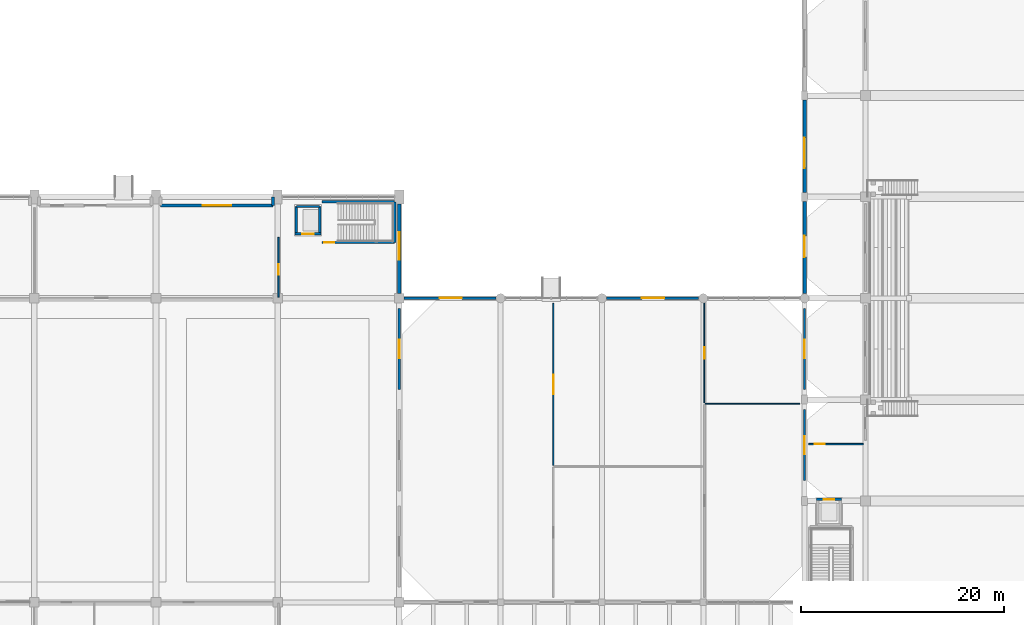
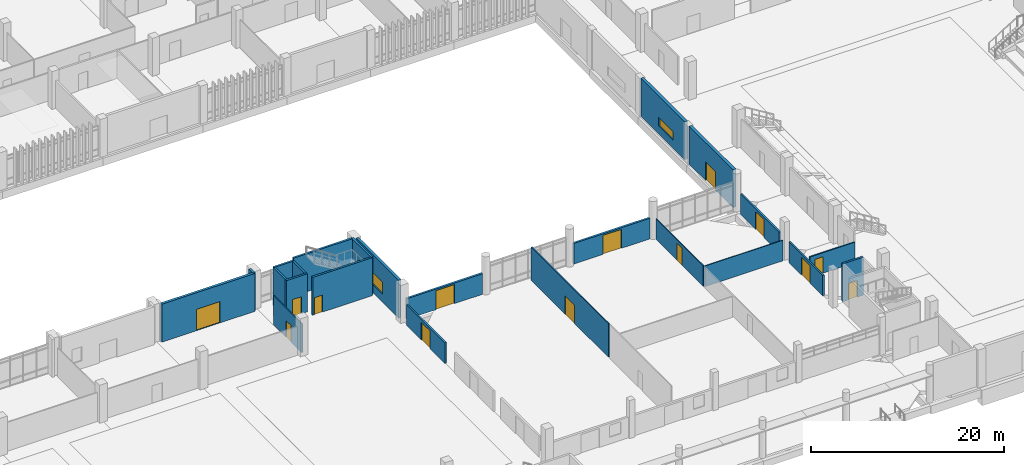
# One storey, part 72 of 87: 23 walls, 14 doors, 2 windows, 16 openings.
"""IFC4 building model written with IfcOpenShell, lengths in metres."""

from ifc_helpers import new_model, si_unit, direction, frame, frame_2d, origin, place, context, subcontext, project, spatial, rectangle, extrude, material, layer, layer_set, type_object, element, fill, save


model = new_model("IFC4")

# Units and contexts
model_context = context("Model", 3, precision=1e-05, world=origin(), true_north=direction((0.0, 1.0)))
body_context = subcontext(model_context, "Body", "Model", "MODEL_VIEW")
ifc_project = project(units=[si_unit("LENGTHUNIT", "METRE"), si_unit("AREAUNIT", "SQUARE_METRE"), si_unit("VOLUMEUNIT", "CUBIC_METRE"), si_unit("PLANEANGLEUNIT", "RADIAN"), si_unit("MASSUNIT", "GRAM", prefix="KILO")], contexts=[model_context])

# Site, building, storey
site_placement = place(None, origin())
site = spatial("IfcSite", under=ifc_project, at=site_placement, CompositionType="ELEMENT")
building_placement = place(site_placement, origin())
building = spatial("IfcBuilding", under=site, at=building_placement, Name="Mersad Railyard Sports Hall", CompositionType="ELEMENT")
storey_placement = place(building_placement, origin())
storey = spatial("IfcBuildingStorey", under=building, at=storey_placement, Name="L00", CompositionType="ELEMENT", Elevation=0.0)

# Wall
ifc_material_1 = material(Name="Architectural concrete C40/50", Category="concrete")
ifc_layer_1 = layer(ifc_material_1, 0.300048828125)
ifc_layer_set_1 = layer_set([ifc_layer_1], Name="Architectural concrete C40/50")
wall_type_1 = type_object("IfcWallType", Name="ARC-WL-EW01", PredefinedType="SOLIDWALL", material=ifc_layer_set_1)
wall_1_placement = place(storey_placement, frame((78.550048828125, 53.5, 0.0), z_axis=(0.0, 0.0, 1.0), x_axis=(0.0, -1.0, 0.0)))
element("IfcWall", 1, at=wall_1_placement, inside=storey, type_object=wall_type_1, Name="External wall EW01-0046", PredefinedType="SOLIDWALL", context=body_context, shape_type="SweptSolid", body=[
    extrude(rectangle(XDim=0.85009765625, YDim=0.300048828125, at=frame_2d((0.425048828125, 0.0))), origin(), (0.0, 0.0, 1.0), 4.800048828125),
])

# Wall, opening, door
wall_2_placement = place(storey_placement, frame((67.449951171875, 52.64990234375, 0.0), z_axis=(0.0, 0.0, 1.0), x_axis=(1.0, 0.0, 0.0)))
wall_2 = element("IfcWall", 2, at=wall_2_placement, inside=storey, type_object=wall_type_1, Name="External wall EW01-0052", PredefinedType="SOLIDWALL", context=body_context, shape_type="SweptSolid", body=[
    extrude(rectangle(XDim=11.10009765625, YDim=0.300048828125, at=frame_2d((5.550048828125, 0.0))), origin(), (0.0, 0.0, 1.0), 4.800048828125),
])
opening_1_placement = place(wall_2_placement, frame((4.14990234375, 0.0, 0.0)))
opening_1 = element("IfcOpeningElement", 3, at=opening_1_placement, cuts=wall_2, Name="Opening GT01", PredefinedType="OPENING", context=body_context, shape_type="SweptSolid", body=[
    extrude(rectangle(XDim=2.800048828125, YDim=2.699951171875, at=frame_2d((1.39990234375, 1.35009765625))), frame((0.0, 0.159912109375, 0.0), z_axis=(0.0, -1.0, 0.0), x_axis=(1.0, 0.0, 0.0)), (0.0, 0.0, 1.0), 0.320068359375),
])
ifc_material_2 = material(Name="Steel S355", Category="steel")
door_type_1 = type_object("IfcDoorType", Name="ARC-DR-GT01", OperationType="NOTDEFINED", PredefinedType="GATE", material=ifc_material_2)
door_1_placement = place(opening_1_placement, origin())
door_1 = element("IfcDoor", 4, at=door_1_placement, inside=storey, type_object=door_type_1, Name="Equipment delivery gate GT01-006", OperationType="DOUBLE_DOOR_SINGLE_SWING", OverallHeight=2.699951171875, OverallWidth=2.800048828125, PredefinedType="GATE", context=body_context, shape_type="SweptSolid", body=[
    extrude(rectangle(XDim=2.800048828125, YDim=2.699951171875, at=frame_2d((1.39990234375, 1.35009765625))), frame((0.0, 0.02490234375, 0.0), z_axis=(0.0, -1.0, 0.0), x_axis=(1.0, 0.0, 0.0)), (0.0, 0.0, 1.0), 0.050048828125),
])
fill(opening_1, door_1)

# Wall, opening, window
wall_3_placement = place(storey_placement, frame((91.0, 52.800048828125, 0.0), z_axis=(0.0, 0.0, 1.0), x_axis=(0.0, -1.0, 0.0)))
wall_3 = element("IfcWall", 5, at=wall_3_placement, inside=storey, type_object=wall_type_1, Name="External wall EW01-0056", PredefinedType="SOLIDWALL", context=body_context, shape_type="SweptSolid", body=[
    extrude(rectangle(XDim=8.824951171875, YDim=0.300048828125, at=frame_2d((4.41259765625, 0.0))), origin(), (0.0, 0.0, 1.0), 4.800048828125),
])
opening_2_placement = place(wall_3_placement, frame((2.800048828125, 0.0, 1.0)))
opening_2 = element("IfcOpeningElement", 6, at=opening_2_placement, cuts=wall_3, Name="Opening W08", PredefinedType="OPENING", context=body_context, shape_type="SweptSolid", body=[
    extrude(rectangle(XDim=2.699951171875, YDim=1.5, at=frame_2d((1.35009765625, 0.75))), frame((0.0, 0.159912109375, 0.0), z_axis=(0.0, -1.0, 0.0), x_axis=(1.0, 0.0, 0.0)), (0.0, 0.0, 1.0), 0.320068359375),
])
ifc_material_3 = material(Name="Solar-control glass", Category="glass")
window_type_1 = type_object("IfcWindowType", Name="ARC-WN-W08", PartitioningType="DOUBLE_PANEL_VERTICAL", PredefinedType="WINDOW", material=ifc_material_3)
window_1_placement = place(opening_2_placement, origin())
window_1 = element("IfcWindow", 7, at=window_1_placement, inside=storey, type_object=window_type_1, Name="Window W08-0008", OverallHeight=1.5, OverallWidth=2.699951171875, PartitioningType="DOUBLE_PANEL_VERTICAL", PredefinedType="WINDOW", context=body_context, shape_type="SweptSolid", body=[
    extrude(rectangle(XDim=2.699951171875, YDim=1.5, at=frame_2d((1.35009765625, 0.75))), frame((0.0, 0.030029296875, 0.0), z_axis=(0.0, -1.0, 0.0), x_axis=(1.0, 0.0, 0.0)), (0.0, 0.0, 1.0), 0.06005859375),
])
fill(opening_2, window_1)

# Wall, opening, door
ifc_material_4 = material(Name="Architectural concrete C50/60", Category="concrete")
ifc_layer_2 = layer(ifc_material_4, 0.35009765625)
ifc_layer_set_2 = layer_set([ifc_layer_2], Name="Architectural concrete C50/60")
wall_type_2 = type_object("IfcWallType", Name="ARC-WL-EW02", PredefinedType="SOLIDWALL", material=ifc_layer_set_2)
wall_4_placement = place(storey_placement, frame((131.0, 43.949951171875, 0.0), z_axis=(0.0, 0.0, 1.0), x_axis=(0.0, 1.0, 0.0)))
wall_4 = element("IfcWall", 8, at=wall_4_placement, inside=storey, type_object=wall_type_2, Name="External wall EW02-0093", PredefinedType="SOLIDWALL", context=body_context, shape_type="SweptSolid", body=[
    extrude(rectangle(XDim=9.10009765625, YDim=0.35009765625, at=frame_2d((4.550048828125, 0.0))), origin(), (0.0, 0.0, 1.0), 4.800048828125),
])
opening_3_placement = place(wall_4_placement, frame((3.60009765625, 0.0, 0.0)))
opening_3 = element("IfcOpeningElement", 9, at=opening_3_placement, cuts=wall_4, Name="Opening ED02", PredefinedType="OPENING", context=body_context, shape_type="SweptSolid", body=[
    extrude(rectangle(XDim=2.10009765625, YDim=2.35009765625, at=frame_2d((1.050048828125, 1.175048828125))), frame((0.0, 0.18505859375, 0.0), z_axis=(0.0, -1.0, 0.0), x_axis=(1.0, 0.0, 0.0)), (0.0, 0.0, 1.0), 0.3701171875),
])
ifc_material_5 = material(Name="Aluminium 6063-T6", Category="aluminium")
door_type_2 = type_object("IfcDoorType", Name="ARC-DR-ED02", OperationType="NOTDEFINED", PredefinedType="DOOR", material=ifc_material_5)
door_2_placement = place(opening_3_placement, origin())
door_2 = element("IfcDoor", 10, at=door_2_placement, inside=storey, type_object=door_type_2, Name="Courtyard concourse exit door ED02-029", OperationType="DOUBLE_DOOR_SINGLE_SWING", OverallHeight=2.35009765625, OverallWidth=2.10009765625, PredefinedType="DOOR", context=body_context, shape_type="SweptSolid", body=[
    extrude(rectangle(XDim=2.10009765625, YDim=2.35009765625, at=frame_2d((1.050048828125, 1.175048828125))), frame((0.0, 0.02490234375, 0.0), z_axis=(0.0, -1.0, 0.0), x_axis=(1.0, 0.0, 0.0)), (0.0, 0.0, 1.0), 0.050048828125),
])
fill(opening_3, door_2)

# Wall, opening, window
wall_5_placement = place(storey_placement, frame((131.0, 53.949951171875, 0.0), z_axis=(0.0, 0.0, 1.0), x_axis=(0.0, 1.0, 0.0)))
wall_5 = element("IfcWall", 11, at=wall_5_placement, inside=storey, type_object=wall_type_2, Name="External wall EW02-0094", PredefinedType="SOLIDWALL", context=body_context, shape_type="SweptSolid", body=[
    extrude(rectangle(XDim=9.10009765625, YDim=0.35009765625, at=frame_2d((4.550048828125, 0.0))), origin(), (0.0, 0.0, 1.0), 4.800048828125),
])
opening_4_placement = place(wall_5_placement, frame((2.39990234375, 0.0, 1.0)))
opening_4 = element("IfcOpeningElement", 12, at=opening_4_placement, cuts=wall_5, Name="Opening W24", PredefinedType="OPENING", context=body_context, shape_type="SweptSolid", body=[
    extrude(rectangle(XDim=3.0, YDim=1.10009765625, at=frame_2d((1.5, 0.550048828125))), frame((0.0, 0.18505859375, 0.0), z_axis=(0.0, -1.0, 0.0), x_axis=(1.0, 0.0, 0.0)), (0.0, 0.0, 1.0), 0.3701171875),
])
window_type_2 = type_object("IfcWindowType", Name="ARC-WN-W24", PartitioningType="DOUBLE_PANEL_VERTICAL", PredefinedType="WINDOW", material=ifc_material_3)
window_2_placement = place(opening_4_placement, origin())
window_2 = element("IfcWindow", 13, at=window_2_placement, inside=storey, type_object=window_type_2, Name="Window W24-0021", OverallHeight=1.10009765625, OverallWidth=3.0, PartitioningType="DOUBLE_PANEL_VERTICAL", PredefinedType="WINDOW", context=body_context, shape_type="SweptSolid", body=[
    extrude(rectangle(XDim=3.0, YDim=1.10009765625, at=frame_2d((1.5, 0.550048828125))), frame((0.0, 0.030029296875, 0.0), z_axis=(0.0, -1.0, 0.0), x_axis=(1.0, 0.0, 0.0)), (0.0, 0.0, 1.0), 0.06005859375),
])
fill(opening_4, window_2)

# Wall, opening, door
ifc_material_6 = material(Name="Precast concrete C45/55", Category="concrete")
ifc_layer_3 = layer(ifc_material_6, 0.25)
ifc_layer_set_3 = layer_set([ifc_layer_3], Name="Precast concrete C45/55")
wall_type_3 = type_object("IfcWallType", Name="ARC-WL-EW04", PredefinedType="SOLIDWALL", material=ifc_layer_set_3)
wall_6_placement = place(storey_placement, frame((91.47509765625, 43.5, 0.0), z_axis=(0.0, 0.0, 1.0), x_axis=(1.0, 0.0, 0.0)))
wall_6 = element("IfcWall", 14, at=wall_6_placement, inside=storey, type_object=wall_type_3, Name="External wall EW04-0074", PredefinedType="SOLIDWALL", context=body_context, shape_type="SweptSolid", body=[
    extrude(rectangle(XDim=9.074951171875, YDim=0.25, at=frame_2d((4.53759765625, 0.0))), origin(), (0.0, 0.0, 1.0), 2.60498046875),
])
opening_5_placement = place(wall_6_placement, frame((3.5, 0.0, 0.0)))
opening_5 = element("IfcOpeningElement", 15, at=opening_5_placement, cuts=wall_6, Name="Opening ED01", PredefinedType="OPENING", context=body_context, shape_type="SweptSolid", body=[
    extrude(rectangle(XDim=2.199951171875, YDim=2.39990234375, at=frame_2d((1.10009765625, 1.199951171875))), frame((0.0, 0.135009765625, 0.0), z_axis=(0.0, -1.0, 0.0), x_axis=(1.0, 0.0, 0.0)), (0.0, 0.0, 1.0), 0.27001953125),
])
door_type_3 = type_object("IfcDoorType", Name="ARC-DR-ED01", OperationType="NOTDEFINED", PredefinedType="DOOR", material=ifc_material_5)
door_3_placement = place(opening_5_placement, origin())
door_3 = element("IfcDoor", 16, at=door_3_placement, inside=storey, type_object=door_type_3, Name="Courtyard exit door ED01-018", OperationType="DOUBLE_DOOR_SINGLE_SWING", OverallHeight=2.39990234375, OverallWidth=2.199951171875, PredefinedType="DOOR", context=body_context, shape_type="SweptSolid", body=[
    extrude(rectangle(XDim=2.199951171875, YDim=2.39990234375, at=frame_2d((1.10009765625, 1.199951171875))), frame((0.0, 0.02490234375, 0.0), z_axis=(0.0, -1.0, 0.0), x_axis=(1.0, 0.0, 0.0)), (0.0, 0.0, 1.0), 0.050048828125),
])
fill(opening_5, door_3)

wall_7_placement = place(storey_placement, frame((111.449951171875, 43.5, 0.0), z_axis=(0.0, 0.0, 1.0), x_axis=(1.0, 0.0, 0.0)))
wall_7 = element("IfcWall", 17, at=wall_7_placement, inside=storey, type_object=wall_type_3, Name="External wall EW04-0077", PredefinedType="SOLIDWALL", context=body_context, shape_type="SweptSolid", body=[
    extrude(rectangle(XDim=9.10009765625, YDim=0.25, at=frame_2d((4.550048828125, 0.0))), origin(), (0.0, 0.0, 1.0), 2.60498046875),
])
opening_6_placement = place(wall_7_placement, frame((3.5, 0.0, 0.0)))
opening_6 = element("IfcOpeningElement", 18, at=opening_6_placement, cuts=wall_7, Name="Opening ED01", PredefinedType="OPENING", context=body_context, shape_type="SweptSolid", body=[
    extrude(rectangle(XDim=2.199951171875, YDim=2.39990234375, at=frame_2d((1.10009765625, 1.199951171875))), frame((0.0, 0.135009765625, 0.0), z_axis=(0.0, -1.0, 0.0), x_axis=(1.0, 0.0, 0.0)), (0.0, 0.0, 1.0), 0.27001953125),
])
door_4_placement = place(opening_6_placement, origin())
door_4 = element("IfcDoor", 19, at=door_4_placement, inside=storey, type_object=door_type_3, Name="Courtyard exit door ED01-021", OperationType="DOUBLE_DOOR_SINGLE_SWING", OverallHeight=2.39990234375, OverallWidth=2.199951171875, PredefinedType="DOOR", context=body_context, shape_type="SweptSolid", body=[
    extrude(rectangle(XDim=2.199951171875, YDim=2.39990234375, at=frame_2d((1.10009765625, 1.199951171875))), frame((0.0, 0.02490234375, 0.0), z_axis=(0.0, -1.0, 0.0), x_axis=(1.0, 0.0, 0.0)), (0.0, 0.0, 1.0), 0.050048828125),
])
fill(opening_6, door_4)

ifc_layer_4 = layer(ifc_material_6, 0.199951171875)
ifc_layer_set_4 = layer_set([ifc_layer_4], Name="Precast concrete C45/55")
wall_type_4 = type_object("IfcWallType", Name="ARC-WL-PT01", PredefinedType="PARTITIONING", material=ifc_layer_set_4)
wall_8_placement = place(storey_placement, frame((91.0, 34.5, 0.0), z_axis=(0.0, 0.0, 1.0), x_axis=(0.0, 1.0, 0.0)))
wall_8 = element("IfcWall", 20, at=wall_8_placement, inside=storey, type_object=wall_type_4, Name="Interior wall PT01-0542", PredefinedType="PARTITIONING", context=body_context, shape_type="SweptSolid", body=[
    extrude(rectangle(XDim=8.0, YDim=0.199951171875, at=frame_2d((4.0, 0.0))), origin(), (0.0, 0.0, 1.0), 2.60498046875),
])
opening_7_placement = place(wall_8_placement, frame((3.10009765625, 0.0, 0.0)))
opening_7 = element("IfcOpeningElement", 21, at=opening_7_placement, cuts=wall_8, Name="Opening FD05", PredefinedType="OPENING", context=body_context, shape_type="SweptSolid", body=[
    extrude(rectangle(XDim=1.800048828125, YDim=2.25, at=frame_2d((0.89990234375, 1.125))), frame((0.0, 0.10986328125, 0.0), z_axis=(0.0, -1.0, 0.0), x_axis=(1.0, 0.0, 0.0)), (0.0, 0.0, 1.0), 0.219970703125),
])
door_type_4 = type_object("IfcDoorType", Name="ARC-DR-FD05", OperationType="NOTDEFINED", PredefinedType="DOOR", material=ifc_material_2)
door_5_placement = place(opening_7_placement, origin())
door_5 = element("IfcDoor", 22, at=door_5_placement, inside=storey, type_object=door_type_4, Name="Foyer to courts double door FD05-0247", OperationType="DOUBLE_DOOR_SINGLE_SWING", OverallHeight=2.25, OverallWidth=1.800048828125, PredefinedType="DOOR", context=body_context, shape_type="SweptSolid", body=[
    extrude(rectangle(XDim=1.800048828125, YDim=2.25, at=frame_2d((0.89990234375, 1.125))), frame((0.0, 0.02490234375, 0.0), z_axis=(0.0, -1.0, 0.0), x_axis=(1.0, 0.0, 0.0)), (0.0, 0.0, 1.0), 0.050048828125),
])
fill(opening_7, door_5)

wall_9_placement = place(storey_placement, frame((131.0, 25.5, 0.0), z_axis=(0.0, 0.0, 1.0), x_axis=(0.0, 1.0, 0.0)))
wall_9 = element("IfcWall", 23, at=wall_9_placement, inside=storey, type_object=wall_type_4, Name="Interior wall PT01-0543", PredefinedType="PARTITIONING", context=body_context, shape_type="SweptSolid", body=[
    extrude(rectangle(XDim=7.0, YDim=0.199951171875, at=frame_2d((3.5, 0.0))), origin(), (0.0, 0.0, 1.0), 2.60498046875),
])
opening_8_placement = place(wall_9_placement, frame((2.60009765625, 0.0, 0.0)))
opening_8 = element("IfcOpeningElement", 24, at=opening_8_placement, cuts=wall_9, Name="Opening FD05", PredefinedType="OPENING", context=body_context, shape_type="SweptSolid", body=[
    extrude(rectangle(XDim=1.800048828125, YDim=2.25, at=frame_2d((0.89990234375, 1.125))), frame((0.0, 0.10986328125, 0.0), z_axis=(0.0, -1.0, 0.0), x_axis=(1.0, 0.0, 0.0)), (0.0, 0.0, 1.0), 0.219970703125),
])
door_6_placement = place(opening_8_placement, origin())
door_6 = element("IfcDoor", 25, at=door_6_placement, inside=storey, type_object=door_type_4, Name="Foyer to show court door FD05-0248", OperationType="DOUBLE_DOOR_SINGLE_SWING", OverallHeight=2.25, OverallWidth=1.800048828125, PredefinedType="DOOR", context=body_context, shape_type="SweptSolid", body=[
    extrude(rectangle(XDim=1.800048828125, YDim=2.25, at=frame_2d((0.89990234375, 1.125))), frame((0.0, 0.02490234375, 0.0), z_axis=(0.0, -1.0, 0.0), x_axis=(1.0, 0.0, 0.0)), (0.0, 0.0, 1.0), 0.050048828125),
])
fill(opening_8, door_6)

wall_10_placement = place(storey_placement, frame((131.0, 34.5, 0.0), z_axis=(0.0, 0.0, 1.0), x_axis=(0.0, 1.0, 0.0)))
wall_10 = element("IfcWall", 26, at=wall_10_placement, inside=storey, type_object=wall_type_4, Name="Interior wall PT01-0544", PredefinedType="PARTITIONING", context=body_context, shape_type="SweptSolid", body=[
    extrude(rectangle(XDim=8.0, YDim=0.199951171875, at=frame_2d((4.0, 0.0))), origin(), (0.0, 0.0, 1.0), 2.60498046875),
])
opening_9_placement = place(wall_10_placement, frame((3.10009765625, 0.0, 0.0)))
opening_9 = element("IfcOpeningElement", 27, at=opening_9_placement, cuts=wall_10, Name="Opening FD05", PredefinedType="OPENING", context=body_context, shape_type="SweptSolid", body=[
    extrude(rectangle(XDim=1.800048828125, YDim=2.25, at=frame_2d((0.89990234375, 1.125))), frame((0.0, 0.10986328125, 0.0), z_axis=(0.0, -1.0, 0.0), x_axis=(1.0, 0.0, 0.0)), (0.0, 0.0, 1.0), 0.219970703125),
])
door_7_placement = place(opening_9_placement, origin())
door_7 = element("IfcDoor", 28, at=door_7_placement, inside=storey, type_object=door_type_4, Name="Foyer to show court door FD05-0249", OperationType="DOUBLE_DOOR_SINGLE_SWING", OverallHeight=2.25, OverallWidth=1.800048828125, PredefinedType="DOOR", context=body_context, shape_type="SweptSolid", body=[
    extrude(rectangle(XDim=1.800048828125, YDim=2.25, at=frame_2d((0.89990234375, 1.125))), frame((0.0, 0.02490234375, 0.0), z_axis=(0.0, -1.0, 0.0), x_axis=(1.0, 0.0, 0.0)), (0.0, 0.0, 1.0), 0.050048828125),
])
fill(opening_9, door_7)

ifc_material_7 = material(Name="Gypsum plasterboard", Category="gypsum")
ifc_layer_5 = layer(ifc_material_7, 0.139892578125)
ifc_layer_set_5 = layer_set([ifc_layer_5], Name="Gypsum plasterboard")
wall_type_5 = type_object("IfcWallType", Name="ARC-WL-PT03", PredefinedType="PARTITIONING", material=ifc_layer_set_5)
wall_11_placement = place(storey_placement, frame((79.10009765625, 43.60009765625, 0.0), z_axis=(0.0, 0.0, 1.0), x_axis=(0.0, 1.0, 0.0)))
wall_11 = element("IfcWall", 29, at=wall_11_placement, inside=storey, type_object=wall_type_5, Name="Interior wall PT03-0340", PredefinedType="PARTITIONING", context=body_context, shape_type="SweptSolid", body=[
    extrude(rectangle(XDim=5.89990234375, YDim=0.139892578125, at=frame_2d((2.949951171875, 0.0))), origin(), (0.0, 0.0, 1.0), 3.64501953125),
])
opening_10_placement = place(wall_11_placement, frame((2.199951171875, 0.0, 0.0)))
opening_10 = element("IfcOpeningElement", 30, at=opening_10_placement, cuts=wall_11, Name="Opening FD07", PredefinedType="OPENING", context=body_context, shape_type="SweptSolid", body=[
    extrude(rectangle(XDim=1.050048828125, YDim=2.10009765625, at=frame_2d((0.52490234375, 1.050048828125))), frame((0.0, 0.079833984375, 0.0), z_axis=(0.0, -1.0, 0.0), x_axis=(1.0, 0.0, 0.0)), (0.0, 0.0, 1.0), 0.159912109375),
])
door_type_5 = type_object("IfcDoorType", Name="ARC-DR-FD07", OperationType="NOTDEFINED", PredefinedType="DOOR", material=ifc_material_2)
door_8_placement = place(opening_10_placement, origin())
door_8 = element("IfcDoor", 31, at=door_8_placement, inside=storey, type_object=door_type_5, Name="NE lift lobby door FD07-0153", OperationType="SINGLE_SWING_RIGHT", OverallHeight=2.10009765625, OverallWidth=1.050048828125, PredefinedType="DOOR", context=body_context, shape_type="SweptSolid", body=[
    extrude(rectangle(XDim=1.050048828125, YDim=2.10009765625, at=frame_2d((0.52490234375, 1.050048828125))), frame((0.0, 0.02490234375, 0.0), z_axis=(0.0, -1.0, 0.0), x_axis=(1.0, 0.0, 0.0)), (0.0, 0.0, 1.0), 0.050048828125),
])
fill(opening_10, door_8)

wall_12_placement = place(storey_placement, frame((131.39990234375, 29.10009765625, 0.0), z_axis=(0.0, 0.0, 1.0), x_axis=(1.0, 0.0, 0.0)))
wall_12 = element("IfcWall", 32, at=wall_12_placement, inside=storey, type_object=wall_type_5, Name="Interior wall PT03-0373", PredefinedType="PARTITIONING", context=body_context, shape_type="SweptSolid", body=[
    extrude(rectangle(XDim=5.400146484375, YDim=0.139892578125, at=frame_2d((2.7001953125, 0.0))), origin(), (0.0, 0.0, 1.0), 2.60498046875),
])
opening_11_placement = place(wall_12_placement, frame((0.60009765625, 0.0, 0.0)))
opening_11 = element("IfcOpeningElement", 33, at=opening_11_placement, cuts=wall_12, Name="Opening FD06", PredefinedType="OPENING", context=body_context, shape_type="SweptSolid", body=[
    extrude(rectangle(XDim=0.97998046875, YDim=2.10009765625, at=frame_2d((0.489990234375, 1.050048828125))), frame((0.0, 0.079833984375, 0.0), z_axis=(0.0, -1.0, 0.0), x_axis=(1.0, 0.0, 0.0)), (0.0, 0.0, 1.0), 0.159912109375),
])
door_type_6 = type_object("IfcDoorType", Name="ARC-DR-FD06", OperationType="NOTDEFINED", PredefinedType="DOOR", material=ifc_material_2)
door_9_placement = place(opening_11_placement, origin())
door_9 = element("IfcDoor", 34, at=door_9_placement, inside=storey, type_object=door_type_6, Name="Show court west lift lobby door FD06-0164", OperationType="SINGLE_SWING_LEFT", OverallHeight=2.10009765625, OverallWidth=0.97998046875, PredefinedType="DOOR", context=body_context, shape_type="SweptSolid", body=[
    extrude(rectangle(XDim=0.97998046875, YDim=2.10009765625, at=frame_2d((0.489990234375, 1.050048828125))), frame((0.0, 0.02490234375, 0.0), z_axis=(0.0, -1.0, 0.0), x_axis=(1.0, 0.0, 0.0)), (0.0, 0.0, 1.0), 0.050048828125),
])
fill(opening_11, door_9)

ifc_layer_6 = layer(ifc_material_7, 0.1201171875)
ifc_layer_set_6 = layer_set([ifc_layer_6], Name="Gypsum plasterboard")
wall_type_6 = type_object("IfcWallType", Name="ARC-WL-PT04", PredefinedType="PARTITIONING", material=ifc_layer_set_6)
wall_13_placement = place(storey_placement, frame((106.199951171875, 27.0, 0.0), z_axis=(0.0, 0.0, 1.0), x_axis=(0.0, 1.0, 0.0)))
wall_13 = element("IfcWall", 35, at=wall_13_placement, inside=storey, type_object=wall_type_6, Name="Interior wall PT04-0546", PredefinedType="PARTITIONING", context=body_context, shape_type="SweptSolid", body=[
    extrude(rectangle(XDim=16.0, YDim=0.1201171875, at=frame_2d((8.0, 0.0))), origin(), (0.0, 0.0, 1.0), 4.2451171875),
])
opening_12_placement = place(wall_13_placement, frame((7.050048828125, 0.0, 0.0)))
opening_12 = element("IfcOpeningElement", 36, at=opening_12_placement, cuts=wall_13, Name="Opening ID11", PredefinedType="OPENING", context=body_context, shape_type="SweptSolid", body=[
    extrude(rectangle(XDim=1.89990234375, YDim=2.300048828125, at=frame_2d((0.949951171875, 1.14990234375))), frame((0.0, 0.070068359375, 0.0), z_axis=(0.0, -1.0, 0.0), x_axis=(1.0, 0.0, 0.0)), (0.0, 0.0, 1.0), 0.14013671875),
])
door_type_7 = type_object("IfcDoorType", Name="ARC-DR-ID11", OperationType="NOTDEFINED", PredefinedType="DOOR", material=ifc_material_5)
door_10_placement = place(opening_12_placement, origin())
door_10 = element("IfcDoor", 37, at=door_10_placement, inside=storey, type_object=door_type_7, Name="Exhibition gallery door ID11-0251", OperationType="DOUBLE_DOOR_SINGLE_SWING", OverallHeight=2.300048828125, OverallWidth=1.89990234375, PredefinedType="DOOR", context=body_context, shape_type="SweptSolid", body=[
    extrude(rectangle(XDim=1.89990234375, YDim=2.300048828125, at=frame_2d((0.949951171875, 1.14990234375))), frame((0.0, 0.02490234375, 0.0), z_axis=(0.0, -1.0, 0.0), x_axis=(1.0, 0.0, 0.0)), (0.0, 0.0, 1.0), 0.050048828125),
])
fill(opening_12, door_10)

ifc_layer_7 = layer(ifc_material_7, 0.10009765625)
ifc_layer_set_7 = layer_set([ifc_layer_7], Name="Gypsum plasterboard")
wall_type_7 = type_object("IfcWallType", Name="ARC-WL-PT05", PredefinedType="PARTITIONING", material=ifc_layer_set_7)
wall_14_placement = place(storey_placement, frame((121.10009765625, 33.199951171875, 0.0), z_axis=(0.0, 0.0, 1.0), x_axis=(0.0, 1.0, 0.0)))
wall_14 = element("IfcWall", 38, at=wall_14_placement, inside=storey, type_object=wall_type_7, Name="Interior wall PT05-0549", PredefinedType="PARTITIONING", context=body_context, shape_type="SweptSolid", body=[
    extrude(rectangle(XDim=9.800048828125, YDim=0.10009765625, at=frame_2d((4.89990234375, 0.0))), origin(), (0.0, 0.0, 1.0), 2.60498046875),
])
opening_13_placement = place(wall_14_placement, frame((4.340087890625, 0.0, 0.0)))
opening_13 = element("IfcOpeningElement", 39, at=opening_13_placement, cuts=wall_14, Name="Opening ID05", PredefinedType="OPENING", context=body_context, shape_type="SweptSolid", body=[
    extrude(rectangle(XDim=1.1201171875, YDim=2.14990234375, at=frame_2d((0.56005859375, 1.074951171875))), frame((0.0, 0.06005859375, 0.0), z_axis=(0.0, -1.0, 0.0), x_axis=(1.0, 0.0, 0.0)), (0.0, 0.0, 1.0), 0.1201171875),
])
door_type_8 = type_object("IfcDoorType", Name="ARC-DR-ID05", OperationType="NOTDEFINED", PredefinedType="DOOR", material=ifc_material_5)
door_11_placement = place(opening_13_placement, origin())
door_11 = element("IfcDoor", 40, at=door_11_placement, inside=storey, type_object=door_type_8, Name="Foyer accessible WC door ID05-0253", OperationType="SINGLE_SWING_LEFT", OverallHeight=2.14990234375, OverallWidth=1.1201171875, PredefinedType="DOOR", context=body_context, shape_type="SweptSolid", body=[
    extrude(rectangle(XDim=1.1201171875, YDim=2.14990234375, at=frame_2d((0.56005859375, 1.074951171875))), frame((0.0, 0.02490234375, 0.0), z_axis=(0.0, -1.0, 0.0), x_axis=(1.0, 0.0, 0.0)), (0.0, 0.0, 1.0), 0.050048828125),
])
fill(opening_13, door_11)

# Wall
wall_15_placement = place(storey_placement, frame((121.199951171875, 33.10009765625, 0.0), z_axis=(0.0, 0.0, 1.0), x_axis=(1.0, 0.0, 0.0)))
element("IfcWall", 41, at=wall_15_placement, inside=storey, type_object=wall_type_7, Name="Interior wall PT05-0550", PredefinedType="PARTITIONING", context=body_context, shape_type="SweptSolid", body=[
    extrude(rectangle(XDim=9.300048828125, YDim=0.10009765625, at=frame_2d((4.64990234375, 0.0))), origin(), (0.0, 0.0, 1.0), 2.60498046875),
])

# Wall, opening, door
ifc_material_8 = material(Name="Concrete C40/50", Category="concrete")
ifc_layer_8 = layer(ifc_material_8, 0.239990234375)
ifc_layer_set_8 = layer_set([ifc_layer_8], Name="Concrete C40/50")
wall_type_8 = type_object("IfcWallType", Name="STR-WL-SW03", PredefinedType="SHEAR", material=ifc_layer_set_8)
wall_16_placement = place(storey_placement, frame((132.155029296875, 23.64990234375, 0.0), z_axis=(0.0, 0.0, 1.0), x_axis=(1.0, 0.0, 0.0)))
wall_16 = element("IfcWall", 42, at=wall_16_placement, inside=storey, type_object=wall_type_8, Name="Interior wall SW03-0095", PredefinedType="SHEAR", context=body_context, shape_type="SweptSolid", body=[
    extrude(rectangle(XDim=2.489990234375, YDim=0.239990234375, at=frame_2d((1.2451171875, 0.0))), origin(), (0.0, 0.0, 1.0), 4.800048828125),
])
opening_14_placement = place(wall_16_placement, frame((0.719970703125, 0.0, 0.0)))
opening_14 = element("IfcOpeningElement", 43, at=opening_14_placement, cuts=wall_16, Name="Opening LD04", PredefinedType="OPENING", context=body_context, shape_type="SweptSolid", body=[
    extrude(rectangle(XDim=1.050048828125, YDim=2.10009765625, at=frame_2d((0.52490234375, 1.050048828125))), frame((0.0, 0.1298828125, 0.0), z_axis=(0.0, -1.0, 0.0), x_axis=(1.0, 0.0, 0.0)), (0.0, 0.0, 1.0), 0.260009765625),
])
door_type_9 = type_object("IfcDoorType", Name="ARC-DR-LD04", OperationType="NOTDEFINED", PredefinedType="USERDEFINED", material=ifc_material_2)
door_12_placement = place(opening_14_placement, origin())
door_12 = element("IfcDoor", 44, at=door_12_placement, inside=storey, type_object=door_type_9, Name="Lift PL-05 landing door LD04-0025", ObjectType="LANDING DOOR", OperationType="DOUBLE_DOOR_SLIDING", OverallHeight=2.10009765625, OverallWidth=1.050048828125, PredefinedType="USERDEFINED", context=body_context, shape_type="SweptSolid", body=[
    extrude(rectangle(XDim=1.050048828125, YDim=2.10009765625, at=frame_2d((0.52490234375, 1.050048828125))), frame((0.0, 0.02490234375, 0.0), z_axis=(0.0, -1.0, 0.0), x_axis=(1.0, 0.0, 0.0)), (0.0, 0.0, 1.0), 0.050048828125),
])
fill(opening_14, door_12)

# Walls
wall_17_placement = place(storey_placement, frame((80.85009765625, 49.85009765625, -1.300048828125), z_axis=(0.0, 0.0, 1.0), x_axis=(0.0, 1.0, 0.0)))
element("IfcWall", 45, at=wall_17_placement, inside=storey, type_object=wall_type_8, Name="Lift PL-10 west shaft wall L00", PredefinedType="SHEAR", context=body_context, shape_type="SweptSolid", body=[
    extrude(rectangle(XDim=2.699951171875, YDim=0.239990234375, at=frame_2d((1.35009765625, 0.0))), origin(), (0.0, 0.0, 1.0), 6.10009765625),
])
wall_18_placement = place(storey_placement, frame((83.14990234375, 52.550048828125, 0.0), z_axis=(0.0, 0.0, 1.0), x_axis=(0.0, -1.0, 0.0)))
element("IfcWall", 46, at=wall_18_placement, inside=storey, type_object=wall_type_8, Name="Interior wall SW03-0140", PredefinedType="SHEAR", context=body_context, shape_type="SweptSolid", body=[
    extrude(rectangle(XDim=2.699951171875, YDim=0.239990234375, at=frame_2d((1.35009765625, 0.0))), origin(), (0.0, 0.0, 1.0), 4.800048828125),
])
wall_19_placement = place(storey_placement, frame((80.85009765625, 52.550048828125, 0.0), z_axis=(0.0, 0.0, 1.0), x_axis=(1.0, 0.0, 0.0)))
element("IfcWall", 47, at=wall_19_placement, inside=storey, type_object=wall_type_8, Name="Interior wall SW03-0141", PredefinedType="SHEAR", context=body_context, shape_type="SweptSolid", body=[
    extrude(rectangle(XDim=2.2998046875, YDim=0.239990234375, at=frame_2d((1.14990234375, 0.0))), origin(), (0.0, 0.0, 1.0), 4.800048828125),
])

# Wall, opening, door
wall_20_placement = place(storey_placement, frame((83.27001953125, 49.85009765625, 0.0), z_axis=(0.0, 0.0, 1.0), x_axis=(-1.0, 0.0, 0.0)))
wall_20 = element("IfcWall", 48, at=wall_20_placement, inside=storey, type_object=wall_type_8, Name="Interior wall SW03-0142", PredefinedType="SHEAR", context=body_context, shape_type="SweptSolid", body=[
    extrude(rectangle(XDim=2.5400390625, YDim=0.239990234375, at=frame_2d((1.27001953125, 0.0))), origin(), (0.0, 0.0, 1.0), 4.800048828125),
])
opening_15_placement = place(wall_20_placement, frame((0.719970703125, 0.0, 0.0)))
opening_15 = element("IfcOpeningElement", 49, at=opening_15_placement, cuts=wall_20, Name="Opening LD01", PredefinedType="OPENING", context=body_context, shape_type="SweptSolid", body=[
    extrude(rectangle(XDim=1.10009765625, YDim=2.14990234375, at=frame_2d((0.550048828125, 1.074951171875))), frame((0.0, 0.1298828125, 0.0), z_axis=(0.0, -1.0, 0.0), x_axis=(1.0, 0.0, 0.0)), (0.0, 0.0, 1.0), 0.260009765625),
])
door_type_10 = type_object("IfcDoorType", Name="ARC-DR-LD01", OperationType="NOTDEFINED", PredefinedType="USERDEFINED", material=ifc_material_2)
door_13_placement = place(opening_15_placement, origin())
door_13 = element("IfcDoor", 50, at=door_13_placement, inside=storey, type_object=door_type_10, Name="Lift PL-10 landing door LD01-0038", ObjectType="LANDING DOOR", OperationType="DOUBLE_DOOR_SLIDING", OverallHeight=2.14990234375, OverallWidth=1.10009765625, PredefinedType="USERDEFINED", context=body_context, shape_type="SweptSolid", body=[
    extrude(rectangle(XDim=1.10009765625, YDim=2.14990234375, at=frame_2d((0.550048828125, 1.074951171875))), frame((0.0, 0.02490234375, 0.0), z_axis=(0.0, -1.0, 0.0), x_axis=(1.0, 0.0, 0.0)), (0.0, 0.0, 1.0), 0.050048828125),
])
fill(opening_15, door_13)

# Walls
wall_21_placement = place(storey_placement, frame((90.550048828125, 49.0, 0.0), z_axis=(0.0, 0.0, 1.0), x_axis=(0.0, 1.0, 0.0)))
element("IfcWall", 51, at=wall_21_placement, inside=storey, type_object=wall_type_8, Name="Interior wall SW03-0337", PredefinedType="SHEAR", context=body_context, shape_type="SweptSolid", body=[
    extrude(rectangle(XDim=4.0, YDim=0.239990234375, at=frame_2d((2.0, 0.0))), origin(), (0.0, 0.0, 1.0), 4.800048828125),
])
wall_22_placement = place(storey_placement, frame((83.39990234375, 53.0, 0.0), z_axis=(0.0, 0.0, 1.0), x_axis=(1.0, 0.0, 0.0)))
element("IfcWall", 52, at=wall_22_placement, inside=storey, type_object=wall_type_8, Name="Interior wall SW03-0338", PredefinedType="SHEAR", context=body_context, shape_type="SweptSolid", body=[
    extrude(rectangle(XDim=7.150146484375, YDim=0.239990234375, at=frame_2d((3.5751953125, 0.0))), origin(), (0.0, 0.0, 1.0), 4.800048828125),
])

# Wall, opening, door
wall_23_placement = place(storey_placement, frame((83.39990234375, 49.0, 0.0), z_axis=(0.0, 0.0, 1.0), x_axis=(1.0, 0.0, 0.0)))
wall_23 = element("IfcWall", 53, at=wall_23_placement, inside=storey, type_object=wall_type_8, Name="Interior wall SW03-0339", PredefinedType="SHEAR", context=body_context, shape_type="SweptSolid", body=[
    extrude(rectangle(XDim=7.150146484375, YDim=0.239990234375, at=frame_2d((3.5751953125, 0.0))), origin(), (0.0, 0.0, 1.0), 4.800048828125),
])
opening_16_placement = place(wall_23_placement, frame((0.179931640625, 0.0, 0.0)))
opening_16 = element("IfcOpeningElement", 54, at=opening_16_placement, cuts=wall_23, Name="Opening FD02", PredefinedType="OPENING", context=body_context, shape_type="SweptSolid", body=[
    extrude(rectangle(XDim=1.0, YDim=2.14990234375, at=frame_2d((0.5, 1.074951171875))), frame((0.0, 0.1298828125, 0.0), z_axis=(0.0, -1.0, 0.0), x_axis=(1.0, 0.0, 0.0)), (0.0, 0.0, 1.0), 0.260009765625),
])
door_type_11 = type_object("IfcDoorType", Name="ARC-DR-FD02", OperationType="NOTDEFINED", PredefinedType="DOOR", material=ifc_material_2)
door_14_placement = place(opening_16_placement, origin())
door_14 = element("IfcDoor", 55, at=door_14_placement, inside=storey, type_object=door_type_11, Name="NE pavilion stair door FD02-0152", OperationType="SINGLE_SWING_LEFT", OverallHeight=2.14990234375, OverallWidth=1.0, PredefinedType="DOOR", context=body_context, shape_type="SweptSolid", body=[
    extrude(rectangle(XDim=1.0, YDim=2.14990234375, at=frame_2d((0.5, 1.074951171875))), frame((0.0, 0.02490234375, 0.0), z_axis=(0.0, -1.0, 0.0), x_axis=(1.0, 0.0, 0.0)), (0.0, 0.0, 1.0), 0.050048828125),
])
fill(opening_16, door_14)

save(model, "model.ifc")
